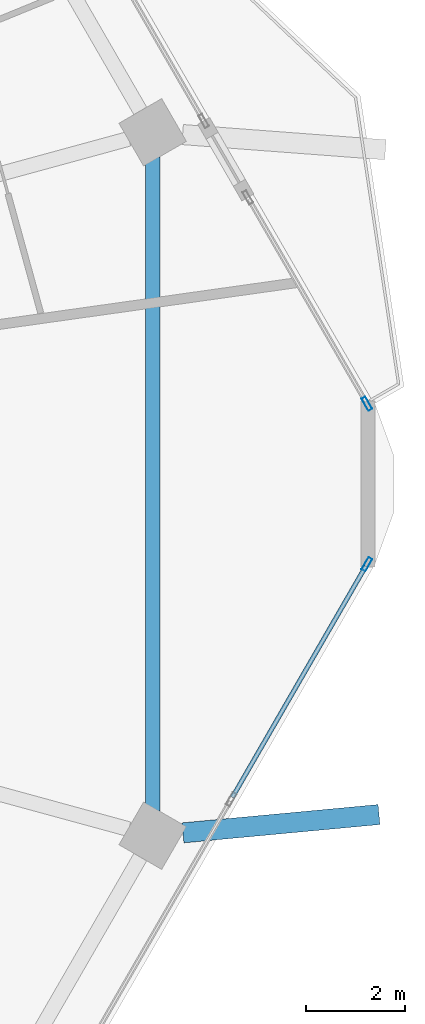
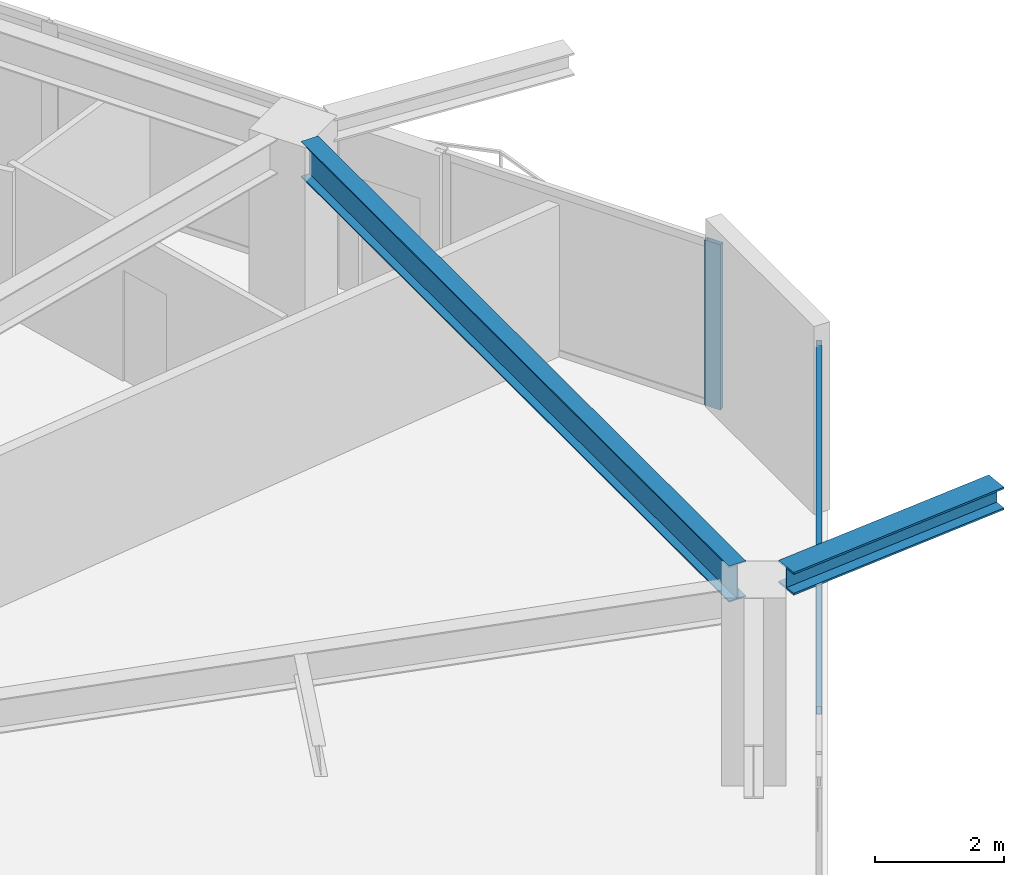
# One storey, part 9 of 26: 4 members, 2 beams, 2 elements without a shape of their own.
"""IFC4 building model written with IfcOpenShell, lengths in metres."""

from ifc_helpers import new_model, si_unit, direction, frame, origin, origin_2d, place, context, subcontext, project, spatial, hollow_rectangle, i_section, extrude, material, material_profile, profile_set, type_object, element, aggregate, save


model = new_model("IFC4")

# Units and contexts
model_context = context("Model", 3, precision=1e-05, world=origin(), true_north=direction((0.0, 1.0)))
body_context = subcontext(model_context, "Body", "Model", "MODEL_VIEW")
ifc_project = project(units=[si_unit("LENGTHUNIT", "METRE"), si_unit("AREAUNIT", "SQUARE_METRE"), si_unit("VOLUMEUNIT", "CUBIC_METRE"), si_unit("PLANEANGLEUNIT", "RADIAN"), si_unit("MASSUNIT", "GRAM", prefix="KILO")], contexts=[model_context])

# Site, building, storey
site_placement = place(None, origin())
site = spatial("IfcSite", under=ifc_project, at=site_placement, CompositionType="ELEMENT")
building_placement = place(site_placement, origin())
building = spatial("IfcBuilding", under=site, at=building_placement, Name="Zuhravey Tower", CompositionType="ELEMENT")
storey_placement = place(building_placement, frame((0.0, 0.0, 158.0)))
storey = spatial("IfcBuildingStorey", under=building, at=storey_placement, Name="L39", CompositionType="ELEMENT", Elevation=158.0)

# Curtain wall, member
ifc_material_1 = material(Name="Thermally broken anodised aluminium", Category="aluminium")
curtain_wall_type = type_object("IfcCurtainWallType", Name="Zone 1-2 Residential Curtain Wall CW3", PredefinedType="NOTDEFINED", material=ifc_material_1)
curtain_wall_1_placement = place(storey_placement, origin())
curtain_wall_1 = element("IfcCurtainWall", 1, at=curtain_wall_1_placement, inside=storey, type_object=curtain_wall_type, Name="L39 CW3 CW-L39-F6-1", PredefinedType="NOTDEFINED")
ifc_material_2 = material(Name="Anodised aluminium", Category="aluminium")
ifc_material_profile_1 = material_profile(ifc_material_2, hollow_rectangle(XDim=0.090087890625, YDim=0.284912109375, WallThickness=0.0048828125, at=origin_2d()), Name="ALU-RHS-90x285x5")
ifc_profile_set_1 = profile_set([ifc_material_profile_1], Name="Anodised aluminium")
member_type_1 = type_object("IfcMemberType", Name="Curtain-Wall Mullion 90x180", PredefinedType="MULLION", material=ifc_profile_set_1)
member_1_placement = place(storey_placement, frame((66.44921875, 30.37353515625, 0.0), z_axis=(0.0, 0.0, 1.0), x_axis=(0.866025138215, -0.500000459979, 0.0)))
member_1 = element("IfcMember", 2, at=member_1_placement, type_object=member_type_1, Name="CW3 mullion 1", PredefinedType="MULLION", context=body_context, shape_type="SweptSolid", body=[
    extrude(hollow_rectangle(XDim=0.090087890625, YDim=0.284912109375, WallThickness=0.0048828125, at=origin_2d()), origin(), (0.0, 0.0, 1.0), 3.1220703125),
])

curtain_wall_2_placement = place(storey_placement, origin())
curtain_wall_2 = element("IfcCurtainWall", 3, at=curtain_wall_2_placement, inside=storey, type_object=curtain_wall_type, Name="L39 CW3 CW-L39-F1-2", PredefinedType="NOTDEFINED")
member_2_placement = place(storey_placement, frame((66.44921875, 33.62646484375, 0.0), z_axis=(0.0, 0.0, 1.0), x_axis=(0.86602910077, 0.499993596579, 0.0)))
member_2 = element("IfcMember", 4, at=member_2_placement, type_object=member_type_1, Name="CW3 mullion 2", PredefinedType="MULLION", context=body_context, shape_type="SweptSolid", body=[
    extrude(hollow_rectangle(XDim=0.090087890625, YDim=0.284912109375, WallThickness=0.0048828125, at=origin_2d()), origin(), (0.0, 0.0, 1.0), 3.1220703125),
])
aggregate(curtain_wall_2, [member_2])

# Member
ifc_material_profile_2 = material_profile(ifc_material_2, hollow_rectangle(XDim=0.090087890625, YDim=0.14990234375, WallThickness=0.0048828125, at=origin_2d()), Name="ALU-RHS-90x150x5")
ifc_profile_set_2 = profile_set([ifc_material_profile_2], Name="Anodised aluminium")
member_type_2 = type_object("IfcMemberType", Name="Curtain-Wall Transom 90x150", PredefinedType="USERDEFINED", material=ifc_profile_set_2)
member_3_placement = place(storey_placement, frame((66.4267578125, 30.33447265625, 0.044921875), z_axis=(-0.499993332629, -0.866029253159, 0.0), x_axis=(0.866029253159, -0.499993332629, 0.0)))
member_3 = element("IfcMember", 5, at=member_3_placement, type_object=member_type_2, Name="CW3 transom 1.1", ObjectType="TRANSOM", PredefinedType="USERDEFINED", context=body_context, shape_type="SweptSolid", body=[
    extrude(hollow_rectangle(XDim=0.090087890625, YDim=0.14990234375, WallThickness=0.0048828125, at=origin_2d()), origin(), (0.0, 0.0, 1.0), 5.4091796875),
])

member_4_placement = place(storey_placement, frame((66.4267578125, 30.33447265625, 3.076904296875), z_axis=(-0.499993332629, -0.866029253159, 0.0), x_axis=(0.866029253159, -0.499993332629, 0.0)))
member_4 = element("IfcMember", 6, at=member_4_placement, type_object=member_type_2, Name="CW3 transom 1.2", ObjectType="TRANSOM", PredefinedType="USERDEFINED", context=body_context, shape_type="SweptSolid", body=[
    extrude(hollow_rectangle(XDim=0.090087890625, YDim=0.14990234375, WallThickness=0.0048828125, at=origin_2d()), origin(), (0.0, 0.0, 1.0), 5.4091796875),
])

aggregate(curtain_wall_1, [member_1, member_3, member_4])

# Beams
ifc_material_3 = material(Name="Steel SM460", Category="steel")
ifc_material_profile_3 = material_profile(ifc_material_3, i_section(OverallWidth=0.406982421875, OverallDepth=0.427978515625, WebThickness=0.02001953125, FlangeThickness=0.034912109375, at=origin_2d()), Name="H-428x407x20x35")
ifc_profile_set_3 = profile_set([ifc_material_profile_3], Name="Steel SM460")
beam_type_1 = type_object("IfcBeamType", Name="Exoskeleton Node Tie Beam H428x407", PredefinedType="BEAM", material=ifc_profile_set_3)
beam_1_placement = place(storey_placement, frame((62.721923828125, 24.930908203125, 3.3359375), z_axis=(0.995664387001, 0.093018430746, 0.0), x_axis=(-0.093018430746, 0.995664387001, 0.0)))
element("IfcBeam", 7, at=beam_1_placement, inside=storey, type_object=beam_type_1, Name="L39 Exoskeleton Node Tie NT1-12", PredefinedType="BEAM", context=body_context, shape_type="SweptSolid", body=[
    extrude(i_section(OverallWidth=0.406982421875, OverallDepth=0.427978515625, WebThickness=0.02001953125, FlangeThickness=0.034912109375, at=origin_2d()), origin(), (0.0, 0.0, 1.0), 3.989501953125),
])
ifc_material_4 = material(Name="Steel SM355", Category="steel")
ifc_material_profile_4 = material_profile(ifc_material_4, i_section(OverallWidth=0.300048828125, OverallDepth=0.679931640625, WebThickness=0.012939453125, FlangeThickness=0.02197265625, at=origin_2d()), Name="H-680x300x13x22")
ifc_profile_set_4 = profile_set([ifc_material_profile_4], Name="Steel SM355")
beam_type_2 = type_object("IfcBeamType", Name="Perimeter Ring Beam H680x300", PredefinedType="BEAM", material=ifc_profile_set_4)
beam_2_placement = place(storey_placement, frame((62.107666015625, 25.37646484375, 3.2099609375), z_axis=(0.0, 1.0, 0.0), x_axis=(-1.0, 0.0, 0.0)))
element("IfcBeam", 8, at=beam_2_placement, inside=storey, type_object=beam_type_2, Name="L39 PB2 BM-L39-PB-12", PredefinedType="BEAM", context=body_context, shape_type="SweptSolid", body=[
    extrude(i_section(OverallWidth=0.300048828125, OverallDepth=0.679931640625, WebThickness=0.012939453125, FlangeThickness=0.02197265625, at=origin_2d()), origin(), (0.0, 0.0, 1.0), 13.2470703125),
])

save(model, "model.ifc")
